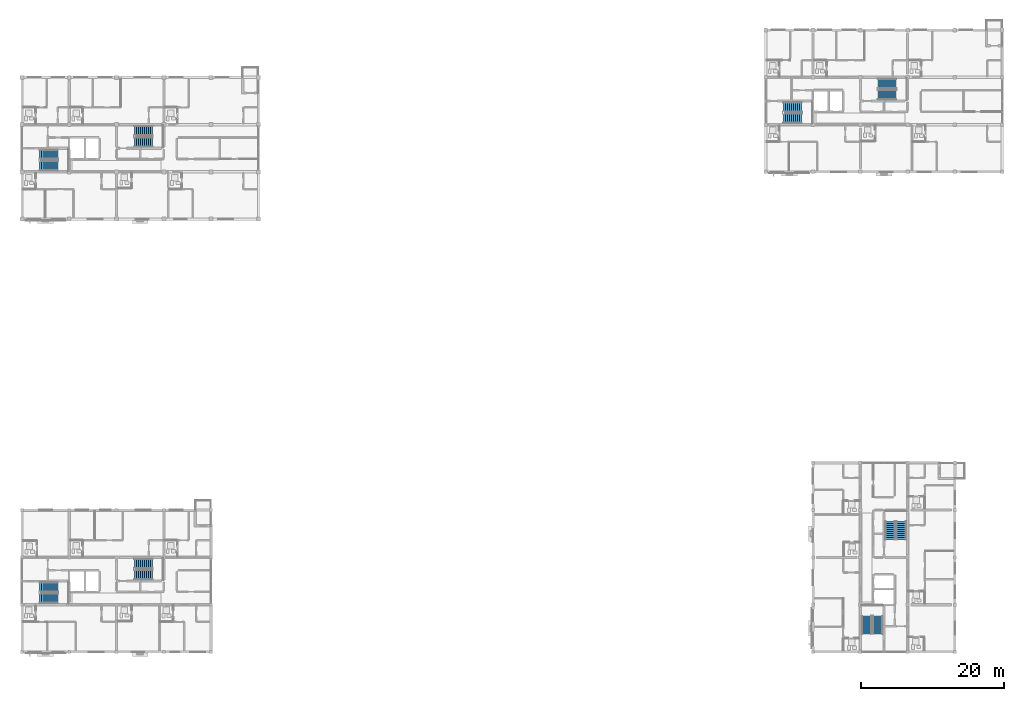
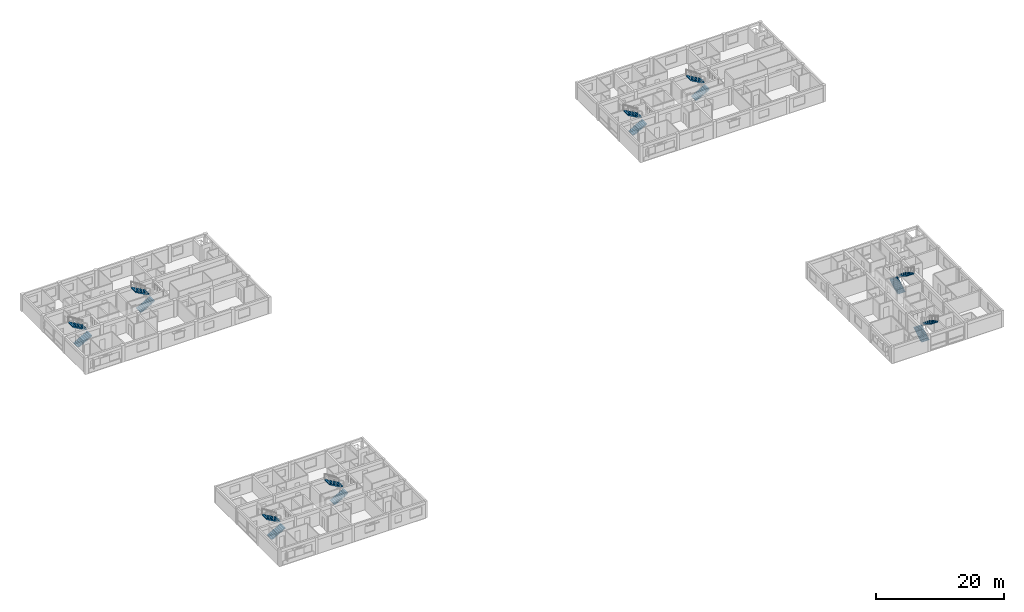
# One storey, part 42 of 53: 16 stair flights, 8 elements without a shape of their own.
"""IFC4 building model written with IfcOpenShell, lengths in metres."""

from ifc_helpers import new_model, si_unit, direction, frame, origin, place, context, subcontext, project, spatial, polyline, outline, extrude, material, type_object, element, aggregate, save


model = new_model("IFC4")

# Units and contexts
model_context = context("Model", 3, precision=1e-05, world=origin(), true_north=direction((0.0, 1.0)))
body_context = subcontext(model_context, "Body", "Model", "MODEL_VIEW")
ifc_project = project(units=[si_unit("LENGTHUNIT", "METRE"), si_unit("AREAUNIT", "SQUARE_METRE"), si_unit("VOLUMEUNIT", "CUBIC_METRE"), si_unit("PLANEANGLEUNIT", "RADIAN"), si_unit("MASSUNIT", "GRAM", prefix="KILO")], contexts=[model_context])

# Site, building, storey
site_placement = place(None, origin())
site = spatial("IfcSite", under=ifc_project, at=site_placement, CompositionType="ELEMENT")
building_placement = place(site_placement, origin())
building = spatial("IfcBuilding", under=site, at=building_placement, Name="Kernevlak Ridge Housing Community", CompositionType="ELEMENT")
storey_placement = place(building_placement, frame((0.0, 0.0, 18.0)))
storey = spatial("IfcBuildingStorey", under=building, at=storey_placement, Name="L05", CompositionType="ELEMENT", Elevation=18.0)

# Stair, stair flights
ifc_material = material(Name="Concrete C35/45", Category="concrete")
stair_type = type_object("IfcStairType", Name="SR-01", PredefinedType="HALF_TURN_STAIR", material=ifc_material)
stair_1_placement = place(storey_placement, origin())
stair_1 = element("IfcStair", 1, at=stair_1_placement, inside=storey, type_object=stair_type, Name="Stair ST-A1 L05", PredefinedType="HALF_TURN_STAIR")
stair_flight_type = type_object("IfcStairFlightType", Name="SF-01", PredefinedType="STRAIGHT", material=ifc_material)
stair_flight_1_placement = place(storey_placement, frame((18.080078125, 83.4599609375, 0.0), z_axis=(0.0, 0.0, 1.0), x_axis=(1.0, 0.0, 0.0)))
stair_flight_1 = element("IfcStairFlight", 2, at=stair_flight_1_placement, type_object=stair_flight_type, Name="SR-01 flight 1", NumberOfRisers=10, NumberOfTreads=9, PredefinedType="STRAIGHT", RiserHeight=0.16, TreadLength=0.28, context=body_context, shape_type="SweptSolid", body=[
    extrude(outline(polyline([(0.0, 0.0), (0.0, 0.159912109375), (0.280029296875, 0.159912109375), (0.280029296875, 0.320068359375), (0.56005859375, 0.320068359375), (0.56005859375, 0.47998046875), (0.840087890625, 0.47998046875), (0.840087890625, 0.639892578125), (1.1201171875, 0.639892578125), (1.1201171875, 0.800048828125), (1.39990234375, 0.800048828125), (1.39990234375, 0.9599609375), (1.679931640625, 0.9599609375), (1.679931640625, 1.1201171875), (1.9599609375, 1.1201171875), (1.9599609375, 1.280029296875), (2.239990234375, 1.280029296875), (2.239990234375, 1.43994140625), (2.52001953125, 1.43994140625), (2.52001953125, 1.60009765625), (2.52001953125, 1.244384765625), (0.342529296875, 0.0), (0.0, 0.0)])), frame((0.0, 0.699951171875, 0.0), z_axis=(0.0, -1.0, 0.0), x_axis=(1.0, 0.0, 0.0)), (0.0, 0.0, 1.0), 1.39990234375),
])
stair_flight_2_placement = place(storey_placement, frame((20.60009765625, 85.0400390625, 1.60009765625), z_axis=(0.0, 0.0, 1.0), x_axis=(-1.0, 0.0, 0.0)))
stair_flight_2 = element("IfcStairFlight", 3, at=stair_flight_2_placement, type_object=stair_flight_type, Name="SR-01 flight 2", NumberOfRisers=10, NumberOfTreads=9, PredefinedType="STRAIGHT", RiserHeight=0.16, TreadLength=0.28, context=body_context, shape_type="SweptSolid", body=[
    extrude(outline(polyline([(0.0, 0.0), (0.0, 0.159912109375), (0.280029296875, 0.159912109375), (0.280029296875, 0.320068359375), (0.56005859375, 0.320068359375), (0.56005859375, 0.47998046875), (0.840087890625, 0.47998046875), (0.840087890625, 0.639892578125), (1.1201171875, 0.639892578125), (1.1201171875, 0.800048828125), (1.39990234375, 0.800048828125), (1.39990234375, 0.9599609375), (1.679931640625, 0.9599609375), (1.679931640625, 1.1201171875), (1.9599609375, 1.1201171875), (1.9599609375, 1.280029296875), (2.239990234375, 1.280029296875), (2.239990234375, 1.43994140625), (2.52001953125, 1.43994140625), (2.52001953125, 1.60009765625), (2.52001953125, 1.244384765625), (0.342529296875, 0.0), (0.0, 0.0)])), frame((0.0, 0.699951171875, 0.0), z_axis=(0.0, -1.0, 0.0), x_axis=(1.0, 0.0, 0.0)), (0.0, 0.0, 1.0), 1.39990234375),
])
aggregate(stair_1, [stair_flight_1, stair_flight_2])

stair_2_placement = place(storey_placement, origin())
stair_2 = element("IfcStair", 4, at=stair_2_placement, inside=storey, type_object=stair_type, Name="Stair ST-A2 L05", PredefinedType="HALF_TURN_STAIR")
stair_flight_3_placement = place(storey_placement, frame((31.280029296875, 86.760009765625, 0.0), z_axis=(0.0, 0.0, 1.0), x_axis=(1.0, 0.0, 0.0)))
stair_flight_3 = element("IfcStairFlight", 5, at=stair_flight_3_placement, type_object=stair_flight_type, Name="SR-01 flight 1", NumberOfRisers=10, NumberOfTreads=9, PredefinedType="STRAIGHT", RiserHeight=0.16, TreadLength=0.28, context=body_context, shape_type="SweptSolid", body=[
    extrude(outline(polyline([(0.0, 0.0), (0.0, 0.159912109375), (0.280029296875, 0.159912109375), (0.280029296875, 0.320068359375), (0.56005859375, 0.320068359375), (0.56005859375, 0.47998046875), (0.840087890625, 0.47998046875), (0.840087890625, 0.639892578125), (1.1201171875, 0.639892578125), (1.1201171875, 0.800048828125), (1.39990234375, 0.800048828125), (1.39990234375, 0.9599609375), (1.679931640625, 0.9599609375), (1.679931640625, 1.1201171875), (1.9599609375, 1.1201171875), (1.9599609375, 1.280029296875), (2.239990234375, 1.280029296875), (2.239990234375, 1.43994140625), (2.52001953125, 1.43994140625), (2.52001953125, 1.60009765625), (2.52001953125, 1.244384765625), (0.342529296875, 0.0), (0.0, 0.0)])), frame((0.0, 0.699951171875, 0.0), z_axis=(0.0, -1.0, 0.0), x_axis=(1.0, 0.0, 0.0)), (0.0, 0.0, 1.0), 1.39990234375),
])
stair_flight_4_placement = place(storey_placement, frame((33.800048828125, 88.340087890625, 1.60009765625), z_axis=(0.0, 0.0, 1.0), x_axis=(-1.0, 0.0, 0.0)))
stair_flight_4 = element("IfcStairFlight", 6, at=stair_flight_4_placement, type_object=stair_flight_type, Name="SR-01 flight 2", NumberOfRisers=10, NumberOfTreads=9, PredefinedType="STRAIGHT", RiserHeight=0.16, TreadLength=0.28, context=body_context, shape_type="SweptSolid", body=[
    extrude(outline(polyline([(0.0, 0.0), (0.0, 0.159912109375), (0.280029296875, 0.159912109375), (0.280029296875, 0.320068359375), (0.56005859375, 0.320068359375), (0.56005859375, 0.47998046875), (0.840087890625, 0.47998046875), (0.840087890625, 0.639892578125), (1.1201171875, 0.639892578125), (1.1201171875, 0.800048828125), (1.39990234375, 0.800048828125), (1.39990234375, 0.9599609375), (1.679931640625, 0.9599609375), (1.679931640625, 1.1201171875), (1.9599609375, 1.1201171875), (1.9599609375, 1.280029296875), (2.239990234375, 1.280029296875), (2.239990234375, 1.43994140625), (2.52001953125, 1.43994140625), (2.52001953125, 1.60009765625), (2.52001953125, 1.244384765625), (0.342529296875, 0.0), (0.0, 0.0)])), frame((0.0, 0.699951171875, 0.0), z_axis=(0.0, -1.0, 0.0), x_axis=(1.0, 0.0, 0.0)), (0.0, 0.0, 1.0), 1.39990234375),
])
aggregate(stair_2, [stair_flight_3, stair_flight_4])

stair_3_placement = place(storey_placement, origin())
stair_3 = element("IfcStair", 7, at=stair_3_placement, inside=storey, type_object=stair_type, Name="Stair ST-B1 L05", PredefinedType="HALF_TURN_STAIR")
stair_flight_5_placement = place(storey_placement, frame((121.8798828125, 90.06005859375, 0.0), z_axis=(0.0, 0.0, 1.0), x_axis=(1.0, 0.0, 0.0)))
stair_flight_5 = element("IfcStairFlight", 8, at=stair_flight_5_placement, type_object=stair_flight_type, Name="SR-01 flight 1", NumberOfRisers=10, NumberOfTreads=9, PredefinedType="STRAIGHT", RiserHeight=0.16, TreadLength=0.28, context=body_context, shape_type="SweptSolid", body=[
    extrude(outline(polyline([(0.0, 0.0), (0.0, 0.159912109375), (0.280029296875, 0.159912109375), (0.280029296875, 0.320068359375), (0.56005859375, 0.320068359375), (0.56005859375, 0.47998046875), (0.840087890625, 0.47998046875), (0.840087890625, 0.639892578125), (1.1201171875, 0.639892578125), (1.1201171875, 0.800048828125), (1.39990234375, 0.800048828125), (1.39990234375, 0.9599609375), (1.679931640625, 0.9599609375), (1.679931640625, 1.1201171875), (1.9599609375, 1.1201171875), (1.9599609375, 1.280029296875), (2.239990234375, 1.280029296875), (2.239990234375, 1.43994140625), (2.52001953125, 1.43994140625), (2.52001953125, 1.60009765625), (2.52001953125, 1.244384765625), (0.342529296875, 0.0), (0.0, 0.0)])), frame((0.0, 0.699951171875, 0.0), z_axis=(0.0, -1.0, 0.0), x_axis=(1.0, 0.0, 0.0)), (0.0, 0.0, 1.0), 1.39990234375),
])
stair_flight_6_placement = place(storey_placement, frame((124.39990234375, 91.639892578125, 1.60009765625), z_axis=(0.0, 0.0, 1.0), x_axis=(-1.0, 0.0, 0.0)))
stair_flight_6 = element("IfcStairFlight", 9, at=stair_flight_6_placement, type_object=stair_flight_type, Name="SR-01 flight 2", NumberOfRisers=10, NumberOfTreads=9, PredefinedType="STRAIGHT", RiserHeight=0.16, TreadLength=0.28, context=body_context, shape_type="SweptSolid", body=[
    extrude(outline(polyline([(0.0, 0.0), (0.0, 0.159912109375), (0.280029296875, 0.159912109375), (0.280029296875, 0.320068359375), (0.56005859375, 0.320068359375), (0.56005859375, 0.47998046875), (0.840087890625, 0.47998046875), (0.840087890625, 0.639892578125), (1.1201171875, 0.639892578125), (1.1201171875, 0.800048828125), (1.39990234375, 0.800048828125), (1.39990234375, 0.9599609375), (1.679931640625, 0.9599609375), (1.679931640625, 1.1201171875), (1.9599609375, 1.1201171875), (1.9599609375, 1.280029296875), (2.239990234375, 1.280029296875), (2.239990234375, 1.43994140625), (2.52001953125, 1.43994140625), (2.52001953125, 1.60009765625), (2.52001953125, 1.244384765625), (0.342529296875, 0.0), (0.0, 0.0)])), frame((0.0, 0.699951171875, 0.0), z_axis=(0.0, -1.0, 0.0), x_axis=(1.0, 0.0, 0.0)), (0.0, 0.0, 1.0), 1.39990234375),
])
aggregate(stair_3, [stair_flight_5, stair_flight_6])

stair_4_placement = place(storey_placement, origin())
stair_4 = element("IfcStair", 10, at=stair_4_placement, inside=storey, type_object=stair_type, Name="Stair ST-B2 L05", PredefinedType="HALF_TURN_STAIR")
stair_flight_7_placement = place(storey_placement, frame((135.080078125, 93.360107421875, 0.0), z_axis=(0.0, 0.0, 1.0), x_axis=(1.0, 0.0, 0.0)))
stair_flight_7 = element("IfcStairFlight", 11, at=stair_flight_7_placement, type_object=stair_flight_type, Name="SR-01 flight 1", NumberOfRisers=10, NumberOfTreads=9, PredefinedType="STRAIGHT", RiserHeight=0.16, TreadLength=0.28, context=body_context, shape_type="SweptSolid", body=[
    extrude(outline(polyline([(0.0, 0.0), (0.0, 0.159912109375), (0.280029296875, 0.159912109375), (0.280029296875, 0.320068359375), (0.56005859375, 0.320068359375), (0.56005859375, 0.47998046875), (0.840087890625, 0.47998046875), (0.840087890625, 0.639892578125), (1.1201171875, 0.639892578125), (1.1201171875, 0.800048828125), (1.39990234375, 0.800048828125), (1.39990234375, 0.9599609375), (1.679931640625, 0.9599609375), (1.679931640625, 1.1201171875), (1.9599609375, 1.1201171875), (1.9599609375, 1.280029296875), (2.239990234375, 1.280029296875), (2.239990234375, 1.43994140625), (2.52001953125, 1.43994140625), (2.52001953125, 1.60009765625), (2.52001953125, 1.244384765625), (0.342529296875, 0.0), (0.0, 0.0)])), frame((0.0, 0.699951171875, 0.0), z_axis=(0.0, -1.0, 0.0), x_axis=(1.0, 0.0, 0.0)), (0.0, 0.0, 1.0), 1.39990234375),
])
stair_flight_8_placement = place(storey_placement, frame((137.60009765625, 94.93994140625, 1.60009765625), z_axis=(0.0, 0.0, 1.0), x_axis=(-1.0, 0.0, 0.0)))
stair_flight_8 = element("IfcStairFlight", 12, at=stair_flight_8_placement, type_object=stair_flight_type, Name="SR-01 flight 2", NumberOfRisers=10, NumberOfTreads=9, PredefinedType="STRAIGHT", RiserHeight=0.16, TreadLength=0.28, context=body_context, shape_type="SweptSolid", body=[
    extrude(outline(polyline([(0.0, 0.0), (0.0, 0.159912109375), (0.280029296875, 0.159912109375), (0.280029296875, 0.320068359375), (0.56005859375, 0.320068359375), (0.56005859375, 0.47998046875), (0.840087890625, 0.47998046875), (0.840087890625, 0.639892578125), (1.1201171875, 0.639892578125), (1.1201171875, 0.800048828125), (1.39990234375, 0.800048828125), (1.39990234375, 0.9599609375), (1.679931640625, 0.9599609375), (1.679931640625, 1.1201171875), (1.9599609375, 1.1201171875), (1.9599609375, 1.280029296875), (2.239990234375, 1.280029296875), (2.239990234375, 1.43994140625), (2.52001953125, 1.43994140625), (2.52001953125, 1.60009765625), (2.52001953125, 1.244384765625), (0.342529296875, 0.0), (0.0, 0.0)])), frame((0.0, 0.699951171875, 0.0), z_axis=(0.0, -1.0, 0.0), x_axis=(1.0, 0.0, 0.0)), (0.0, 0.0, 1.0), 1.39990234375),
])
aggregate(stair_4, [stair_flight_7, stair_flight_8])

stair_5_placement = place(storey_placement, origin())
stair_5 = element("IfcStair", 13, at=stair_5_placement, inside=storey, type_object=stair_type, Name="Stair ST-C1 L05", PredefinedType="HALF_TURN_STAIR")
stair_flight_9_placement = place(storey_placement, frame((133.4599609375, 18.080078125, 0.0), z_axis=(0.0, 0.0, 1.0), x_axis=(0.0, 1.0, 0.0)))
stair_flight_9 = element("IfcStairFlight", 14, at=stair_flight_9_placement, type_object=stair_flight_type, Name="SR-01 flight 1", NumberOfRisers=10, NumberOfTreads=9, PredefinedType="STRAIGHT", RiserHeight=0.16, TreadLength=0.28, context=body_context, shape_type="SweptSolid", body=[
    extrude(outline(polyline([(0.0, 0.0), (0.0, 0.159912109375), (0.280029296875, 0.159912109375), (0.280029296875, 0.320068359375), (0.56005859375, 0.320068359375), (0.56005859375, 0.47998046875), (0.840087890625, 0.47998046875), (0.840087890625, 0.639892578125), (1.1201171875, 0.639892578125), (1.1201171875, 0.800048828125), (1.39990234375, 0.800048828125), (1.39990234375, 0.9599609375), (1.679931640625, 0.9599609375), (1.679931640625, 1.1201171875), (1.9599609375, 1.1201171875), (1.9599609375, 1.280029296875), (2.239990234375, 1.280029296875), (2.239990234375, 1.43994140625), (2.52001953125, 1.43994140625), (2.52001953125, 1.60009765625), (2.52001953125, 1.244384765625), (0.342529296875, 0.0), (0.0, 0.0)])), frame((0.0, 0.699951171875, 0.0), z_axis=(0.0, -1.0, 0.0), x_axis=(1.0, 0.0, 0.0)), (0.0, 0.0, 1.0), 1.39990234375),
])
stair_flight_10_placement = place(storey_placement, frame((135.0400390625, 20.60009765625, 1.60009765625), z_axis=(0.0, 0.0, 1.0), x_axis=(0.0, -1.0, 0.0)))
stair_flight_10 = element("IfcStairFlight", 15, at=stair_flight_10_placement, type_object=stair_flight_type, Name="SR-01 flight 2", NumberOfRisers=10, NumberOfTreads=9, PredefinedType="STRAIGHT", RiserHeight=0.16, TreadLength=0.28, context=body_context, shape_type="SweptSolid", body=[
    extrude(outline(polyline([(0.0, 0.0), (0.0, 0.159912109375), (0.280029296875, 0.159912109375), (0.280029296875, 0.320068359375), (0.56005859375, 0.320068359375), (0.56005859375, 0.47998046875), (0.840087890625, 0.47998046875), (0.840087890625, 0.639892578125), (1.1201171875, 0.639892578125), (1.1201171875, 0.800048828125), (1.39990234375, 0.800048828125), (1.39990234375, 0.9599609375), (1.679931640625, 0.9599609375), (1.679931640625, 1.1201171875), (1.9599609375, 1.1201171875), (1.9599609375, 1.280029296875), (2.239990234375, 1.280029296875), (2.239990234375, 1.43994140625), (2.52001953125, 1.43994140625), (2.52001953125, 1.60009765625), (2.52001953125, 1.244384765625), (0.342529296875, 0.0), (0.0, 0.0)])), frame((0.0, 0.699951171875, 0.0), z_axis=(0.0, -1.0, 0.0), x_axis=(1.0, 0.0, 0.0)), (0.0, 0.0, 1.0), 1.39990234375),
])
aggregate(stair_5, [stair_flight_9, stair_flight_10])

stair_6_placement = place(storey_placement, origin())
stair_6 = element("IfcStair", 16, at=stair_6_placement, inside=storey, type_object=stair_type, Name="Stair ST-C2 L05", PredefinedType="HALF_TURN_STAIR")
stair_flight_11_placement = place(storey_placement, frame((136.760009765625, 31.280029296875, 0.0), z_axis=(0.0, 0.0, 1.0), x_axis=(0.0, 1.0, 0.0)))
stair_flight_11 = element("IfcStairFlight", 17, at=stair_flight_11_placement, type_object=stair_flight_type, Name="SR-01 flight 1", NumberOfRisers=10, NumberOfTreads=9, PredefinedType="STRAIGHT", RiserHeight=0.16, TreadLength=0.28, context=body_context, shape_type="SweptSolid", body=[
    extrude(outline(polyline([(0.0, 0.0), (0.0, 0.159912109375), (0.280029296875, 0.159912109375), (0.280029296875, 0.320068359375), (0.56005859375, 0.320068359375), (0.56005859375, 0.47998046875), (0.840087890625, 0.47998046875), (0.840087890625, 0.639892578125), (1.1201171875, 0.639892578125), (1.1201171875, 0.800048828125), (1.39990234375, 0.800048828125), (1.39990234375, 0.9599609375), (1.679931640625, 0.9599609375), (1.679931640625, 1.1201171875), (1.9599609375, 1.1201171875), (1.9599609375, 1.280029296875), (2.239990234375, 1.280029296875), (2.239990234375, 1.43994140625), (2.52001953125, 1.43994140625), (2.52001953125, 1.60009765625), (2.52001953125, 1.244384765625), (0.342529296875, 0.0), (0.0, 0.0)])), frame((0.0, 0.699951171875, 0.0), z_axis=(0.0, -1.0, 0.0), x_axis=(1.0, 0.0, 0.0)), (0.0, 0.0, 1.0), 1.39990234375),
])
stair_flight_12_placement = place(storey_placement, frame((138.340087890625, 33.800048828125, 1.60009765625), z_axis=(0.0, 0.0, 1.0), x_axis=(0.0, -1.0, 0.0)))
stair_flight_12 = element("IfcStairFlight", 18, at=stair_flight_12_placement, type_object=stair_flight_type, Name="SR-01 flight 2", NumberOfRisers=10, NumberOfTreads=9, PredefinedType="STRAIGHT", RiserHeight=0.16, TreadLength=0.28, context=body_context, shape_type="SweptSolid", body=[
    extrude(outline(polyline([(0.0, 0.0), (0.0, 0.159912109375), (0.280029296875, 0.159912109375), (0.280029296875, 0.320068359375), (0.56005859375, 0.320068359375), (0.56005859375, 0.47998046875), (0.840087890625, 0.47998046875), (0.840087890625, 0.639892578125), (1.1201171875, 0.639892578125), (1.1201171875, 0.800048828125), (1.39990234375, 0.800048828125), (1.39990234375, 0.9599609375), (1.679931640625, 0.9599609375), (1.679931640625, 1.1201171875), (1.9599609375, 1.1201171875), (1.9599609375, 1.280029296875), (2.239990234375, 1.280029296875), (2.239990234375, 1.43994140625), (2.52001953125, 1.43994140625), (2.52001953125, 1.60009765625), (2.52001953125, 1.244384765625), (0.342529296875, 0.0), (0.0, 0.0)])), frame((0.0, 0.699951171875, 0.0), z_axis=(0.0, -1.0, 0.0), x_axis=(1.0, 0.0, 0.0)), (0.0, 0.0, 1.0), 1.39990234375),
])
aggregate(stair_6, [stair_flight_11, stair_flight_12])

stair_7_placement = place(storey_placement, origin())
stair_7 = element("IfcStair", 19, at=stair_7_placement, inside=storey, type_object=stair_type, Name="Stair ST-D1 L05", PredefinedType="HALF_TURN_STAIR")
stair_flight_13_placement = place(storey_placement, frame((18.080078125, 23.06005859375, 0.0), z_axis=(0.0, 0.0, 1.0), x_axis=(1.0, 0.0, 0.0)))
stair_flight_13 = element("IfcStairFlight", 20, at=stair_flight_13_placement, type_object=stair_flight_type, Name="SR-01 flight 1", NumberOfRisers=10, NumberOfTreads=9, PredefinedType="STRAIGHT", RiserHeight=0.16, TreadLength=0.28, context=body_context, shape_type="SweptSolid", body=[
    extrude(outline(polyline([(0.0, 0.0), (0.0, 0.159912109375), (0.280029296875, 0.159912109375), (0.280029296875, 0.320068359375), (0.56005859375, 0.320068359375), (0.56005859375, 0.47998046875), (0.840087890625, 0.47998046875), (0.840087890625, 0.639892578125), (1.1201171875, 0.639892578125), (1.1201171875, 0.800048828125), (1.39990234375, 0.800048828125), (1.39990234375, 0.9599609375), (1.679931640625, 0.9599609375), (1.679931640625, 1.1201171875), (1.9599609375, 1.1201171875), (1.9599609375, 1.280029296875), (2.239990234375, 1.280029296875), (2.239990234375, 1.43994140625), (2.52001953125, 1.43994140625), (2.52001953125, 1.60009765625), (2.52001953125, 1.244384765625), (0.342529296875, 0.0), (0.0, 0.0)])), frame((0.0, 0.699951171875, 0.0), z_axis=(0.0, -1.0, 0.0), x_axis=(1.0, 0.0, 0.0)), (0.0, 0.0, 1.0), 1.39990234375),
])
stair_flight_14_placement = place(storey_placement, frame((20.60009765625, 24.639892578125, 1.60009765625), z_axis=(0.0, 0.0, 1.0), x_axis=(-1.0, 0.0, 0.0)))
stair_flight_14 = element("IfcStairFlight", 21, at=stair_flight_14_placement, type_object=stair_flight_type, Name="SR-01 flight 2", NumberOfRisers=10, NumberOfTreads=9, PredefinedType="STRAIGHT", RiserHeight=0.16, TreadLength=0.28, context=body_context, shape_type="SweptSolid", body=[
    extrude(outline(polyline([(0.0, 0.0), (0.0, 0.159912109375), (0.280029296875, 0.159912109375), (0.280029296875, 0.320068359375), (0.56005859375, 0.320068359375), (0.56005859375, 0.47998046875), (0.840087890625, 0.47998046875), (0.840087890625, 0.639892578125), (1.1201171875, 0.639892578125), (1.1201171875, 0.800048828125), (1.39990234375, 0.800048828125), (1.39990234375, 0.9599609375), (1.679931640625, 0.9599609375), (1.679931640625, 1.1201171875), (1.9599609375, 1.1201171875), (1.9599609375, 1.280029296875), (2.239990234375, 1.280029296875), (2.239990234375, 1.43994140625), (2.52001953125, 1.43994140625), (2.52001953125, 1.60009765625), (2.52001953125, 1.244384765625), (0.342529296875, 0.0), (0.0, 0.0)])), frame((0.0, 0.699951171875, 0.0), z_axis=(0.0, -1.0, 0.0), x_axis=(1.0, 0.0, 0.0)), (0.0, 0.0, 1.0), 1.39990234375),
])
aggregate(stair_7, [stair_flight_13, stair_flight_14])

stair_8_placement = place(storey_placement, origin())
stair_8 = element("IfcStair", 22, at=stair_8_placement, inside=storey, type_object=stair_type, Name="Stair ST-D2 L05", PredefinedType="HALF_TURN_STAIR")
stair_flight_15_placement = place(storey_placement, frame((31.280029296875, 26.360107421875, 0.0), z_axis=(0.0, 0.0, 1.0), x_axis=(1.0, 0.0, 0.0)))
stair_flight_15 = element("IfcStairFlight", 23, at=stair_flight_15_placement, type_object=stair_flight_type, Name="SR-01 flight 1", NumberOfRisers=10, NumberOfTreads=9, PredefinedType="STRAIGHT", RiserHeight=0.16, TreadLength=0.28, context=body_context, shape_type="SweptSolid", body=[
    extrude(outline(polyline([(0.0, 0.0), (0.0, 0.159912109375), (0.280029296875, 0.159912109375), (0.280029296875, 0.320068359375), (0.56005859375, 0.320068359375), (0.56005859375, 0.47998046875), (0.840087890625, 0.47998046875), (0.840087890625, 0.639892578125), (1.1201171875, 0.639892578125), (1.1201171875, 0.800048828125), (1.39990234375, 0.800048828125), (1.39990234375, 0.9599609375), (1.679931640625, 0.9599609375), (1.679931640625, 1.1201171875), (1.9599609375, 1.1201171875), (1.9599609375, 1.280029296875), (2.239990234375, 1.280029296875), (2.239990234375, 1.43994140625), (2.52001953125, 1.43994140625), (2.52001953125, 1.60009765625), (2.52001953125, 1.244384765625), (0.342529296875, 0.0), (0.0, 0.0)])), frame((0.0, 0.699951171875, 0.0), z_axis=(0.0, -1.0, 0.0), x_axis=(1.0, 0.0, 0.0)), (0.0, 0.0, 1.0), 1.39990234375),
])
stair_flight_16_placement = place(storey_placement, frame((33.800048828125, 27.93994140625, 1.60009765625), z_axis=(0.0, 0.0, 1.0), x_axis=(-1.0, 0.0, 0.0)))
stair_flight_16 = element("IfcStairFlight", 24, at=stair_flight_16_placement, type_object=stair_flight_type, Name="SR-01 flight 2", NumberOfRisers=10, NumberOfTreads=9, PredefinedType="STRAIGHT", RiserHeight=0.16, TreadLength=0.28, context=body_context, shape_type="SweptSolid", body=[
    extrude(outline(polyline([(0.0, 0.0), (0.0, 0.159912109375), (0.280029296875, 0.159912109375), (0.280029296875, 0.320068359375), (0.56005859375, 0.320068359375), (0.56005859375, 0.47998046875), (0.840087890625, 0.47998046875), (0.840087890625, 0.639892578125), (1.1201171875, 0.639892578125), (1.1201171875, 0.800048828125), (1.39990234375, 0.800048828125), (1.39990234375, 0.9599609375), (1.679931640625, 0.9599609375), (1.679931640625, 1.1201171875), (1.9599609375, 1.1201171875), (1.9599609375, 1.280029296875), (2.239990234375, 1.280029296875), (2.239990234375, 1.43994140625), (2.52001953125, 1.43994140625), (2.52001953125, 1.60009765625), (2.52001953125, 1.244384765625), (0.342529296875, 0.0), (0.0, 0.0)])), frame((0.0, 0.699951171875, 0.0), z_axis=(0.0, -1.0, 0.0), x_axis=(1.0, 0.0, 0.0)), (0.0, 0.0, 1.0), 1.39990234375),
])
aggregate(stair_8, [stair_flight_15, stair_flight_16])

save(model, "model.ifc")
